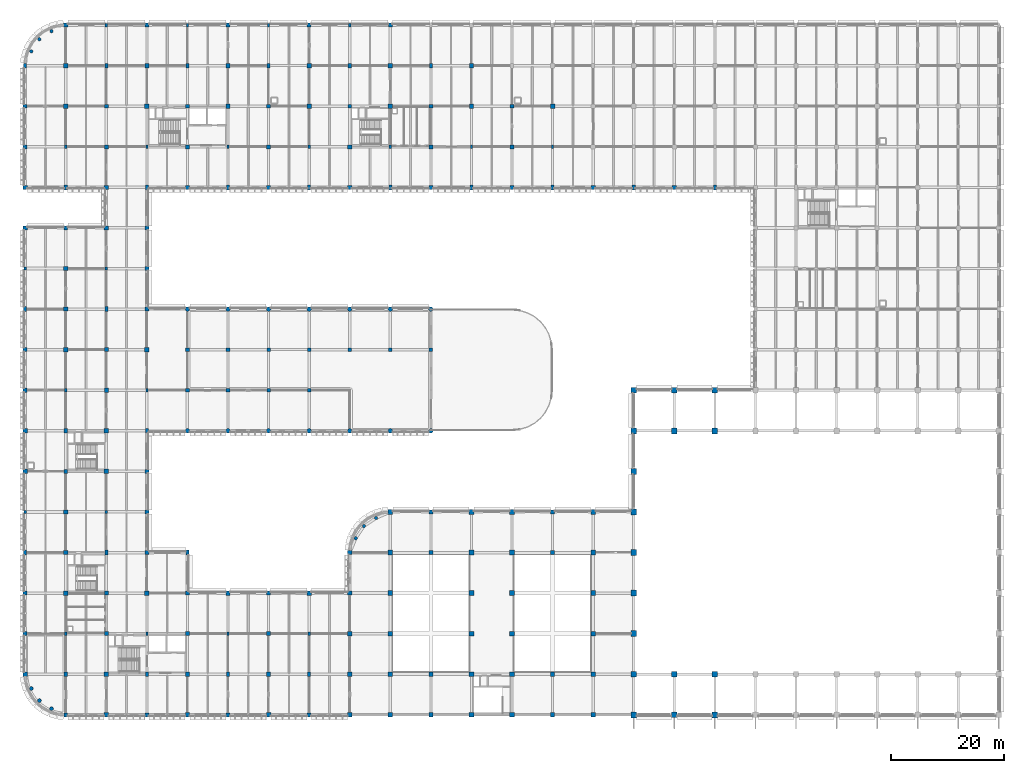
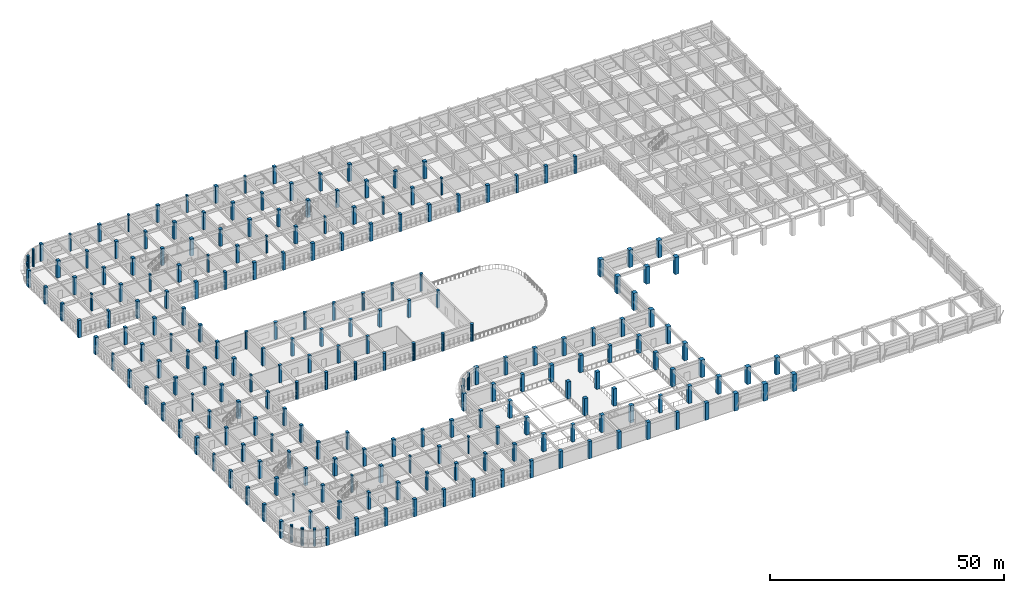
# One storey, part 1 of 61: 223 columns.
"""IFC4 building model written with IfcOpenShell, lengths in metres."""

from ifc_helpers import new_model, si_unit, direction, frame, origin, origin_2d, place, context, subcontext, project, spatial, rectangle, circle, extrude, material, material_profile, profile_set, type_object, element, save


model = new_model("IFC4")

# Units and contexts
model_context = context("Model", 3, precision=1e-05, world=origin(), true_north=direction((0.0, 1.0)))
body_context = subcontext(model_context, "Body", "Model", "MODEL_VIEW")
ifc_project = project(units=[si_unit("LENGTHUNIT", "METRE"), si_unit("AREAUNIT", "SQUARE_METRE"), si_unit("VOLUMEUNIT", "CUBIC_METRE"), si_unit("PLANEANGLEUNIT", "RADIAN"), si_unit("MASSUNIT", "GRAM", prefix="KILO")], contexts=[model_context])

# Site, building, storey
site_placement = place(None, origin())
site = spatial("IfcSite", under=ifc_project, at=site_placement, CompositionType="ELEMENT")
building_placement = place(site_placement, origin())
building = spatial("IfcBuilding", under=site, at=building_placement, Name="Thalmaran Polytechnic", CompositionType="ELEMENT")
storey_placement = place(building_placement, frame((0.0, 0.0, 9.89990234375)))
storey = spatial("IfcBuildingStorey", under=building, at=storey_placement, Name="L02", CompositionType="ELEMENT", Elevation=9.89990234375)

# Columns
ifc_material_1 = material(Name="Concrete C50/60", Category="concrete")
ifc_material_profile_1 = material_profile(ifc_material_1, rectangle(XDim=0.85009765625, YDim=0.85009765625, at=origin_2d()), Name="RC 850x850")
ifc_profile_set_1 = profile_set([ifc_material_profile_1], Name="Concrete C50/60")
column_type_1 = type_object("IfcColumnType", Name="COL-C02", PredefinedType="COLUMN", material=ifc_profile_set_1)
for number, where, z_axis, x_axis, name in (
    (1, (64.800048828125, 0.0, 0.0), (0.0, 0.0, 1.0), (1.0, 0.0, 0.0), "Column C02 L02 (9,0)"),
    (2, (64.800048828125, 7.199951171875, 0.0), (0.0, 0.0, 1.0), (1.0, 0.0, 0.0), "Column C02 L02 (9,1)"),
    (3, (64.800048828125, 14.39990234375, 0.0), (0.0, 0.0, 1.0), (1.0, 0.0, 0.0), "Column C02 L02 (9,2)"),
    (4, (64.800048828125, 21.60009765625, 0.0), (0.0, 0.0, 1.0), (1.0, 0.0, 0.0), "Column C02 L02 (9,3)"),
    (5, (64.800048828125, 28.800048828125, 0.0), (0.0, 0.0, 1.0), (1.0, 0.0, 0.0), "Column C02 L02 (9,4)"),
    (6, (64.800048828125, 36.0, 0.0), (0.0, 0.0, 1.0), (1.0, 0.0, 0.0), "Column C02 L02 (9,5)"),
    (7, (79.199951171875, 0.0, 0.0), (0.0, 0.0, 1.0), (1.0, 0.0, 0.0), "Column C02 L02 (11,0)"),
    (8, (79.199951171875, 7.199951171875, 0.0), (0.0, 0.0, 1.0), (1.0, 0.0, 0.0), "Column C02 L02 (11,1)"),
    (9, (79.199951171875, 14.39990234375, 0.0), (0.0, 0.0, 1.0), (1.0, 0.0, 0.0), "Column C02 L02 (11,2)"),
    (10, (79.199951171875, 21.60009765625, 0.0), (0.0, 0.0, 1.0), (1.0, 0.0, 0.0), "Column C02 L02 (11,3)"),
    (11, (79.199951171875, 28.800048828125, 0.0), (0.0, 0.0, 1.0), (1.0, 0.0, 0.0), "Column C02 L02 (11,4)"),
    (12, (79.199951171875, 36.0, 0.0), (0.0, 0.0, 1.0), (1.0, 0.0, 0.0), "Column C02 L02 (11,5)"),
    (13, (86.39990234375, 0.0, 0.0), (0.0, 0.0, 1.0), (1.0, 0.0, 0.0), "Column C02 L02 (12,0)"),
    (14, (86.39990234375, 7.199951171875, 0.0), (0.0, 0.0, 1.0), (1.0, 0.0, 0.0), "Column C02 L02 (12,1)"),
    (15, (86.39990234375, 14.39990234375, 0.0), (0.0, 0.0, 1.0), (1.0, 0.0, 0.0), "Column C02 L02 (12,2)"),
    (16, (86.39990234375, 21.60009765625, 0.0), (0.0, 0.0, 1.0), (1.0, 0.0, 0.0), "Column C02 L02 (12,3)"),
    (17, (86.39990234375, 28.800048828125, 0.0), (0.0, 0.0, 1.0), (1.0, 0.0, 0.0), "Column C02 L02 (12,4)"),
    (18, (86.39990234375, 36.0, 0.0), (0.0, 0.0, 1.0), (1.0, 0.0, 0.0), "Column C02 L02 (12,5)"),
    (19, (100.800048828125, 0.0, 0.0), (0.0, 0.0, 1.0), (1.0, 0.0, 0.0), "Column C02 L02 (14,0)"),
    (20, (100.800048828125, 7.199951171875, 0.0), (0.0, 0.0, 1.0), (1.0, 0.0, 0.0), "Column C02 L02 (14,1)"),
    (21, (100.800048828125, 14.39990234375, 0.0), (0.0, 0.0, 1.0), (1.0, 0.0, 0.0), "Column C02 L02 (14,2)"),
    (22, (100.800048828125, 21.60009765625, 0.0), (0.0, 0.0, 1.0), (1.0, 0.0, 0.0), "Column C02 L02 (14,3)"),
    (23, (100.800048828125, 28.800048828125, 0.0), (0.0, 0.0, 1.0), (1.0, 0.0, 0.0), "Column C02 L02 (14,4)"),
    (24, (100.800048828125, 36.0, 0.0), (0.0, 0.0, 1.0), (1.0, 0.0, 0.0), "Column C02 L02 (14,5)"),
):
    element("IfcColumn", number, at=place(storey_placement, frame(where, z_axis=z_axis, x_axis=x_axis)), inside=storey, type_object=column_type_1, Name=name, PredefinedType="COLUMN", context=body_context, shape_type="SweptSolid", body=[
        extrude(rectangle(XDim=0.85009765625, YDim=0.85009765625, at=origin_2d()), origin(), (0.0, 0.0, 1.0), 4.5),
    ])
ifc_material_profile_2 = material_profile(ifc_material_1, rectangle(XDim=0.75, YDim=0.75, at=origin_2d()), Name="RC 750x750")
ifc_profile_set_2 = profile_set([ifc_material_profile_2], Name="Concrete C50/60")
column_type_2 = type_object("IfcColumnType", Name="COL-C04", PredefinedType="COLUMN", material=ifc_profile_set_2)
for number, where, z_axis, x_axis, name in (
    (25, (0.0, 7.199951171875, 0.0), (0.0, 0.0, 1.0), (1.0, 0.0, 0.0), "Column C04 L02 (0,1)"),
    (26, (0.0, 50.39990234375, 0.0), (0.0, 0.0, 1.0), (1.0, 0.0, 0.0), "Column C04 L02 (0,7)"),
    (27, (0.0, 93.60009765625, 0.0), (0.0, 0.0, 1.0), (1.0, 0.0, 0.0), "Column C04 L02 (0,13)"),
    (28, (7.199951171875, 28.800048828125, 0.0), (0.0, 0.0, 1.0), (1.0, 0.0, 0.0), "Column C04 L02 (1,4)"),
    (29, (7.199951171875, 72.0, 0.0), (0.0, 0.0, 1.0), (1.0, 0.0, 0.0), "Column C04 L02 (1,10)"),
    (30, (7.199951171875, 115.199951171875, 0.0), (0.0, 0.0, 1.0), (1.0, 0.0, 0.0), "Column C04 L02 (1,16)"),
    (31, (14.39990234375, 7.199951171875, 0.0), (0.0, 0.0, 1.0), (1.0, 0.0, 0.0), "Column C04 L02 (2,1)"),
    (32, (14.39990234375, 50.39990234375, 0.0), (0.0, 0.0, 1.0), (1.0, 0.0, 0.0), "Column C04 L02 (2,7)"),
    (33, (14.39990234375, 93.60009765625, 0.0), (0.0, 0.0, 1.0), (1.0, 0.0, 0.0), "Column C04 L02 (2,13)"),
    (34, (21.60009765625, 28.800048828125, 0.0), (0.0, 0.0, 1.0), (1.0, 0.0, 0.0), "Column C04 L02 (3,4)"),
    (35, (21.60009765625, 72.0, 0.0), (0.0, 0.0, 1.0), (1.0, 0.0, 0.0), "Column C04 L02 (3,10)"),
    (36, (21.60009765625, 115.199951171875, 0.0), (0.0, 0.0, 1.0), (1.0, 0.0, 0.0), "Column C04 L02 (3,16)"),
    (37, (28.800048828125, 7.199951171875, 0.0), (0.0, 0.0, 1.0), (1.0, 0.0, 0.0), "Column C04 L02 (4,1)"),
    (38, (28.800048828125, 93.60009765625, 0.0), (0.0, 0.0, 1.0), (1.0, 0.0, 0.0), "Column C04 L02 (4,13)"),
    (39, (36.0, 115.199951171875, 0.0), (0.0, 0.0, 1.0), (1.0, 0.0, 0.0), "Column C04 L02 (5,16)"),
    (40, (43.199951171875, 7.199951171875, 0.0), (0.0, 0.0, 1.0), (1.0, 0.0, 0.0), "Column C04 L02 (6,1)"),
    (41, (43.199951171875, 93.60009765625, 0.0), (0.0, 0.0, 1.0), (1.0, 0.0, 0.0), "Column C04 L02 (6,13)"),
    (42, (50.39990234375, 115.199951171875, 0.0), (0.0, 0.0, 1.0), (1.0, 0.0, 0.0), "Column C04 L02 (7,16)"),
    (43, (57.60009765625, 0.0, 0.0), (0.0, 0.0, 1.0), (1.0, 0.0, 0.0), "Column C04 L02 (8,0)"),
    (44, (57.60009765625, 7.199951171875, 0.0), (0.0, 0.0, 1.0), (1.0, 0.0, 0.0), "Column C04 L02 (8,1)"),
    (45, (57.60009765625, 14.39990234375, 0.0), (0.0, 0.0, 1.0), (1.0, 0.0, 0.0), "Column C04 L02 (8,2)"),
    (46, (57.60009765625, 21.60009765625, 0.0), (0.0, 0.0, 1.0), (1.0, 0.0, 0.0), "Column C04 L02 (8,3)"),
    (47, (57.60009765625, 28.800048828125, 0.0), (0.0, 0.0, 1.0), (1.0, 0.0, 0.0), "Column C04 L02 (8,4)"),
    (48, (57.60009765625, 93.60009765625, 0.0), (0.0, 0.0, 1.0), (1.0, 0.0, 0.0), "Column C04 L02 (8,13)"),
    (49, (64.800048828125, 115.199951171875, 0.0), (0.0, 0.0, 1.0), (1.0, 0.0, 0.0), "Column C04 L02 (9,16)"),
    (50, (72.0, 0.0, 0.0), (0.0, 0.0, 1.0), (1.0, 0.0, 0.0), "Column C04 L02 (10,0)"),
    (51, (72.0, 7.199951171875, 0.0), (0.0, 0.0, 1.0), (1.0, 0.0, 0.0), "Column C04 L02 (10,1)"),
    (52, (72.0, 28.800048828125, 0.0), (0.0, 0.0, 1.0), (1.0, 0.0, 0.0), "Column C04 L02 (10,4)"),
    (53, (72.0, 36.0, 0.0), (0.0, 0.0, 1.0), (1.0, 0.0, 0.0), "Column C04 L02 (10,5)"),
    (54, (72.0, 93.60009765625, 0.0), (0.0, 0.0, 1.0), (1.0, 0.0, 0.0), "Column C04 L02 (10,13)"),
    (55, (79.199951171875, 115.199951171875, 0.0), (0.0, 0.0, 1.0), (1.0, 0.0, 0.0), "Column C04 L02 (11,16)"),
    (56, (86.39990234375, 93.60009765625, 0.0), (0.0, 0.0, 1.0), (1.0, 0.0, 0.0), "Column C04 L02 (12,13)"),
    (57, (93.60009765625, 0.0, 0.0), (0.0, 0.0, 1.0), (1.0, 0.0, 0.0), "Column C04 L02 (13,0)"),
    (58, (93.60009765625, 7.199951171875, 0.0), (0.0, 0.0, 1.0), (1.0, 0.0, 0.0), "Column C04 L02 (13,1)"),
    (59, (93.60009765625, 28.800048828125, 0.0), (0.0, 0.0, 1.0), (1.0, 0.0, 0.0), "Column C04 L02 (13,4)"),
    (60, (93.60009765625, 36.0, 0.0), (0.0, 0.0, 1.0), (1.0, 0.0, 0.0), "Column C04 L02 (13,5)"),
    (61, (100.800048828125, 93.60009765625, 0.0), (0.0, 0.0, 1.0), (1.0, 0.0, 0.0), "Column C04 L02 (14,13)"),
    (62, (115.199951171875, 93.60009765625, 0.0), (0.0, 0.0, 1.0), (1.0, 0.0, 0.0), "Column C04 L02 (16,13)"),
):
    element("IfcColumn", number, at=place(storey_placement, frame(where, z_axis=z_axis, x_axis=x_axis)), inside=storey, type_object=column_type_2, Name=name, PredefinedType="COLUMN", context=body_context, shape_type="SweptSolid", body=[
        extrude(rectangle(XDim=0.75, YDim=0.75, at=origin_2d()), origin(), (0.0, 0.0, 1.0), 4.5),
    ])
ifc_material_profile_3 = material_profile(ifc_material_1, rectangle(XDim=0.699951171875, YDim=0.699951171875, at=origin_2d()), Name="RC 700x700")
ifc_profile_set_3 = profile_set([ifc_material_profile_3], Name="Concrete C50/60")
column_type_3 = type_object("IfcColumnType", Name="COL-C05", PredefinedType="COLUMN", material=ifc_profile_set_3)
for number, where, z_axis, x_axis, name in (
    (63, (0.0, 21.60009765625, 0.0), (0.0, 0.0, 1.0), (1.0, 0.0, 0.0), "Column C05 L02 (0,3)"),
    (64, (0.0, 64.800048828125, 0.0), (0.0, 0.0, 1.0), (1.0, 0.0, 0.0), "Column C05 L02 (0,9)"),
    (65, (0.0, 108.0, 0.0), (0.0, 0.0, 1.0), (1.0, 0.0, 0.0), "Column C05 L02 (0,15)"),
    (66, (7.199951171875, 0.0, 0.0), (0.0, 0.0, 1.0), (1.0, 0.0, 0.0), "Column C05 L02 (1,0)"),
    (67, (7.199951171875, 43.199951171875, 0.0), (0.0, 0.0, 1.0), (1.0, 0.0, 0.0), "Column C05 L02 (1,6)"),
    (68, (7.199951171875, 86.39990234375, 0.0), (0.0, 0.0, 1.0), (1.0, 0.0, 0.0), "Column C05 L02 (1,12)"),
    (69, (14.39990234375, 21.60009765625, 0.0), (0.0, 0.0, 1.0), (1.0, 0.0, 0.0), "Column C05 L02 (2,3)"),
    (70, (14.39990234375, 64.800048828125, 0.0), (0.0, 0.0, 1.0), (1.0, 0.0, 0.0), "Column C05 L02 (2,9)"),
    (71, (14.39990234375, 108.0, 0.0), (0.0, 0.0, 1.0), (1.0, 0.0, 0.0), "Column C05 L02 (2,15)"),
    (72, (21.60009765625, 0.0, 0.0), (0.0, 0.0, 1.0), (1.0, 0.0, 0.0), "Column C05 L02 (3,0)"),
    (73, (21.60009765625, 43.199951171875, 0.0), (0.0, 0.0, 1.0), (1.0, 0.0, 0.0), "Column C05 L02 (3,6)"),
    (74, (21.60009765625, 86.39990234375, 0.0), (0.0, 0.0, 1.0), (1.0, 0.0, 0.0), "Column C05 L02 (3,12)"),
    (75, (28.800048828125, 21.60009765625, 0.0), (0.0, 0.0, 1.0), (1.0, 0.0, 0.0), "Column C05 L02 (4,3)"),
    (76, (28.800048828125, 108.0, 0.0), (0.0, 0.0, 1.0), (1.0, 0.0, 0.0), "Column C05 L02 (4,15)"),
    (77, (36.0, 0.0, 0.0), (0.0, 0.0, 1.0), (1.0, 0.0, 0.0), "Column C05 L02 (5,0)"),
    (78, (43.199951171875, 21.60009765625, 0.0), (0.0, 0.0, 1.0), (1.0, 0.0, 0.0), "Column C05 L02 (6,3)"),
    (79, (43.199951171875, 108.0, 0.0), (0.0, 0.0, 1.0), (1.0, 0.0, 0.0), "Column C05 L02 (6,15)"),
    (80, (50.39990234375, 0.0, 0.0), (0.0, 0.0, 1.0), (1.0, 0.0, 0.0), "Column C05 L02 (7,0)"),
    (81, (57.60009765625, 108.0, 0.0), (0.0, 0.0, 1.0), (1.0, 0.0, 0.0), "Column C05 L02 (8,15)"),
    (82, (72.0, 108.0, 0.0), (0.0, 0.0, 1.0), (1.0, 0.0, 0.0), "Column C05 L02 (10,15)"),
    (83, (86.39990234375, 108.0, 0.0), (0.0, 0.0, 1.0), (1.0, 0.0, 0.0), "Column C05 L02 (12,15)"),
):
    element("IfcColumn", number, at=place(storey_placement, frame(where, z_axis=z_axis, x_axis=x_axis)), inside=storey, type_object=column_type_3, Name=name, PredefinedType="COLUMN", context=body_context, shape_type="SweptSolid", body=[
        extrude(rectangle(XDim=0.699951171875, YDim=0.699951171875, at=origin_2d()), origin(), (0.0, 0.0, 1.0), 4.5),
    ])
ifc_material_2 = material(Name="Concrete C40/50", Category="concrete")
ifc_material_profile_4 = material_profile(ifc_material_2, rectangle(XDim=0.64990234375, YDim=0.64990234375, at=origin_2d()), Name="RC 650x650")
ifc_profile_set_4 = profile_set([ifc_material_profile_4], Name="Concrete C40/50")
column_type_4 = type_object("IfcColumnType", Name="COL-C06", PredefinedType="COLUMN", material=ifc_profile_set_4)
for number, where, z_axis, x_axis, name in (
    (84, (28.800048828125, 57.60009765625, 0.0), (0.0, 0.0, 1.0), (1.0, 0.0, 0.0), "Column C06 L02 (4,8)"),
    (85, (28.800048828125, 64.800048828125, 0.0), (0.0, 0.0, 1.0), (1.0, 0.0, 0.0), "Column C06 L02 (4,9)"),
    (86, (36.0, 57.60009765625, 0.0), (0.0, 0.0, 1.0), (1.0, 0.0, 0.0), "Column C06 L02 (5,8)"),
    (87, (36.0, 64.800048828125, 0.0), (0.0, 0.0, 1.0), (1.0, 0.0, 0.0), "Column C06 L02 (5,9)"),
    (88, (43.199951171875, 57.60009765625, 0.0), (0.0, 0.0, 1.0), (1.0, 0.0, 0.0), "Column C06 L02 (6,8)"),
    (89, (43.199951171875, 64.800048828125, 0.0), (0.0, 0.0, 1.0), (1.0, 0.0, 0.0), "Column C06 L02 (6,9)"),
    (90, (50.39990234375, 57.60009765625, 0.0), (0.0, 0.0, 1.0), (1.0, 0.0, 0.0), "Column C06 L02 (7,8)"),
    (91, (50.39990234375, 64.800048828125, 0.0), (0.0, 0.0, 1.0), (1.0, 0.0, 0.0), "Column C06 L02 (7,9)"),
    (92, (57.60009765625, 64.800048828125, 0.0), (0.0, 0.0, 1.0), (1.0, 0.0, 0.0), "Column C06 L02 (8,9)"),
    (93, (64.800048828125, 64.800048828125, 0.0), (0.0, 0.0, 1.0), (1.0, 0.0, 0.0), "Column C06 L02 (9,9)"),
    (94, (72.0, 64.800048828125, 0.0), (0.0, 0.0, 1.0), (1.0, 0.0, 0.0), "Column C06 L02 (10,9)"),
):
    element("IfcColumn", number, at=place(storey_placement, frame(where, z_axis=z_axis, x_axis=x_axis)), inside=storey, type_object=column_type_4, Name=name, PredefinedType="COLUMN", context=body_context, shape_type="SweptSolid", body=[
        extrude(rectangle(XDim=0.64990234375, YDim=0.64990234375, at=origin_2d()), origin(), (0.0, 0.0, 1.0), 4.5),
    ])
ifc_material_profile_5 = material_profile(ifc_material_1, rectangle(XDim=0.550048828125, YDim=0.85009765625, at=origin_2d()), Name="RC 550x850")
ifc_profile_set_5 = profile_set([ifc_material_profile_5], Name="Concrete C50/60")
column_type_5 = type_object("IfcColumnType", Name="COL-C12", PredefinedType="COLUMN", material=ifc_profile_set_5)
for number, where, z_axis, x_axis, name in (
    (95, (0.0, 28.800048828125, 0.0), (0.0, 0.0, 1.0), (1.0, 0.0, 0.0), "Column C12 L02 (0,4)"),
    (96, (0.0, 72.0, 0.0), (0.0, 0.0, 1.0), (1.0, 0.0, 0.0), "Column C12 L02 (0,10)"),
    (97, (0.0, 115.199951171875, 0.0), (0.0, 0.0, 1.0), (1.0, 0.0, 0.0), "Column C12 L02 (0,16)"),
    (98, (7.199951171875, 7.199951171875, 0.0), (0.0, 0.0, 1.0), (1.0, 0.0, 0.0), "Column C12 L02 (1,1)"),
    (99, (7.199951171875, 50.39990234375, 0.0), (0.0, 0.0, 1.0), (1.0, 0.0, 0.0), "Column C12 L02 (1,7)"),
    (100, (7.199951171875, 93.60009765625, 0.0), (0.0, 0.0, 1.0), (1.0, 0.0, 0.0), "Column C12 L02 (1,13)"),
    (101, (14.39990234375, 28.800048828125, 0.0), (0.0, 0.0, 1.0), (1.0, 0.0, 0.0), "Column C12 L02 (2,4)"),
    (102, (14.39990234375, 72.0, 0.0), (0.0, 0.0, 1.0), (1.0, 0.0, 0.0), "Column C12 L02 (2,10)"),
    (103, (14.39990234375, 115.199951171875, 0.0), (0.0, 0.0, 1.0), (1.0, 0.0, 0.0), "Column C12 L02 (2,16)"),
    (104, (21.60009765625, 7.199951171875, 0.0), (0.0, 0.0, 1.0), (1.0, 0.0, 0.0), "Column C12 L02 (3,1)"),
    (105, (21.60009765625, 50.39990234375, 0.0), (0.0, 0.0, 1.0), (1.0, 0.0, 0.0), "Column C12 L02 (3,7)"),
    (106, (21.60009765625, 93.60009765625, 0.0), (0.0, 0.0, 1.0), (1.0, 0.0, 0.0), "Column C12 L02 (3,13)"),
    (107, (28.800048828125, 28.800048828125, 0.0), (0.0, 0.0, 1.0), (1.0, 0.0, 0.0), "Column C12 L02 (4,4)"),
    (108, (28.800048828125, 115.199951171875, 0.0), (0.0, 0.0, 1.0), (1.0, 0.0, 0.0), "Column C12 L02 (4,16)"),
    (109, (36.0, 7.199951171875, 0.0), (0.0, 0.0, 1.0), (1.0, 0.0, 0.0), "Column C12 L02 (5,1)"),
    (110, (36.0, 93.60009765625, 0.0), (0.0, 0.0, 1.0), (1.0, 0.0, 0.0), "Column C12 L02 (5,13)"),
    (111, (43.199951171875, 115.199951171875, 0.0), (0.0, 0.0, 1.0), (1.0, 0.0, 0.0), "Column C12 L02 (6,16)"),
    (112, (50.39990234375, 7.199951171875, 0.0), (0.0, 0.0, 1.0), (1.0, 0.0, 0.0), "Column C12 L02 (7,1)"),
    (113, (50.39990234375, 93.60009765625, 0.0), (0.0, 0.0, 1.0), (1.0, 0.0, 0.0), "Column C12 L02 (7,13)"),
    (114, (57.60009765625, 115.199951171875, 0.0), (0.0, 0.0, 1.0), (1.0, 0.0, 0.0), "Column C12 L02 (8,16)"),
    (115, (64.800048828125, 93.60009765625, 0.0), (0.0, 0.0, 1.0), (1.0, 0.0, 0.0), "Column C12 L02 (9,13)"),
    (116, (72.0, 115.199951171875, 0.0), (0.0, 0.0, 1.0), (1.0, 0.0, 0.0), "Column C12 L02 (10,16)"),
    (117, (79.199951171875, 93.60009765625, 0.0), (0.0, 0.0, 1.0), (1.0, 0.0, 0.0), "Column C12 L02 (11,13)"),
    (118, (93.60009765625, 93.60009765625, 0.0), (0.0, 0.0, 1.0), (1.0, 0.0, 0.0), "Column C12 L02 (13,13)"),
    (119, (108.0, 93.60009765625, 0.0), (0.0, 0.0, 1.0), (1.0, 0.0, 0.0), "Column C12 L02 (15,13)"),
    (120, (122.39990234375, 93.60009765625, 0.0), (0.0, 0.0, 1.0), (1.0, 0.0, 0.0), "Column C12 L02 (17,13)"),
):
    element("IfcColumn", number, at=place(storey_placement, frame(where, z_axis=z_axis, x_axis=x_axis)), inside=storey, type_object=column_type_5, Name=name, PredefinedType="COLUMN", context=body_context, shape_type="SweptSolid", body=[
        extrude(rectangle(XDim=0.550048828125, YDim=0.85009765625, at=origin_2d()), origin(), (0.0, 0.0, 1.0), 4.5),
    ])
ifc_material_profile_6 = material_profile(ifc_material_1, circle(Radius=0.39990234375, at=origin_2d()), Name="RC 800 DIA")
ifc_profile_set_6 = profile_set([ifc_material_profile_6], Name="Concrete C50/60")
column_type_6 = type_object("IfcColumnType", Name="COL-C14", PredefinedType="COLUMN", material=ifc_profile_set_6)
for number, where, z_axis, x_axis, name in (
    (121, (28.800048828125, 50.39990234375, 0.0), (0.0, 0.0, 1.0), (1.0, 0.0, 0.0), "Column C14 L02 (4,7)"),
    (122, (28.800048828125, 72.0, 0.0), (0.0, 0.0, 1.0), (1.0, 0.0, 0.0), "Column C14 L02 (4,10)"),
    (123, (36.0, 50.39990234375, 0.0), (0.0, 0.0, 1.0), (1.0, 0.0, 0.0), "Column C14 L02 (5,7)"),
    (124, (36.0, 72.0, 0.0), (0.0, 0.0, 1.0), (1.0, 0.0, 0.0), "Column C14 L02 (5,10)"),
    (125, (43.199951171875, 50.39990234375, 0.0), (0.0, 0.0, 1.0), (1.0, 0.0, 0.0), "Column C14 L02 (6,7)"),
    (126, (43.199951171875, 72.0, 0.0), (0.0, 0.0, 1.0), (1.0, 0.0, 0.0), "Column C14 L02 (6,10)"),
    (127, (50.39990234375, 50.39990234375, 0.0), (0.0, 0.0, 1.0), (1.0, 0.0, 0.0), "Column C14 L02 (7,7)"),
    (128, (50.39990234375, 72.0, 0.0), (0.0, 0.0, 1.0), (1.0, 0.0, 0.0), "Column C14 L02 (7,10)"),
    (129, (57.60009765625, 50.39990234375, 0.0), (0.0, 0.0, 1.0), (1.0, 0.0, 0.0), "Column C14 L02 (8,7)"),
    (130, (57.60009765625, 72.0, 0.0), (0.0, 0.0, 1.0), (1.0, 0.0, 0.0), "Column C14 L02 (8,10)"),
    (131, (64.800048828125, 50.39990234375, 0.0), (0.0, 0.0, 1.0), (1.0, 0.0, 0.0), "Column C14 L02 (9,7)"),
    (132, (64.800048828125, 72.0, 0.0), (0.0, 0.0, 1.0), (1.0, 0.0, 0.0), "Column C14 L02 (9,10)"),
    (133, (72.0, 50.39990234375, 0.0), (0.0, 0.0, 1.0), (1.0, 0.0, 0.0), "Column C14 L02 (10,7)"),
    (134, (72.0, 72.0, 0.0), (0.0, 0.0, 1.0), (1.0, 0.0, 0.0), "Column C14 L02 (10,10)"),
):
    element("IfcColumn", number, at=place(storey_placement, frame(where, z_axis=z_axis, x_axis=x_axis)), inside=storey, type_object=column_type_6, Name=name, PredefinedType="COLUMN", context=body_context, shape_type="SweptSolid", body=[
        extrude(circle(Radius=0.39990234375, at=origin_2d()), origin(), (0.0, 0.0, 1.0), 4.5),
    ])
ifc_material_profile_7 = material_profile(ifc_material_2, circle(Radius=0.35009765625, at=origin_2d()), Name="RC 700 DIA")
ifc_profile_set_7 = profile_set([ifc_material_profile_7], Name="Concrete C40/50")
column_type_7 = type_object("IfcColumnType", Name="COL-C15", PredefinedType="COLUMN", material=ifc_profile_set_7)
for number, where, z_axis, x_axis, name in (
    (135, (1.083984375, 4.666748046875, 0.0), (0.0, 0.0, 1.0), (1.0, 0.0, 0.0), "Prow Column SWP1 L02"),
    (136, (2.51904296875, 2.51904296875, 0.0), (0.0, 0.0, 1.0), (1.0, 0.0, 0.0), "Prow Column SWP2 L02"),
    (137, (4.666748046875, 1.083984375, 0.0), (0.0, 0.0, 1.0), (1.0, 0.0, 0.0), "Prow Column SWP3 L02"),
):
    element("IfcColumn", number, at=place(storey_placement, frame(where, z_axis=z_axis, x_axis=x_axis)), inside=storey, type_object=column_type_7, Name=name, PredefinedType="COLUMN", context=body_context, shape_type="SweptSolid", body=[
        extrude(circle(Radius=0.35009765625, at=origin_2d()), origin(), (0.0, 0.0, 1.0), 4.5),
    ])
ifc_material_profile_8 = material_profile(ifc_material_2, circle(Radius=0.300048828125, at=origin_2d()), Name="RC 600 DIA")
ifc_profile_set_8 = profile_set([ifc_material_profile_8], Name="Concrete C40/50")
column_type_8 = type_object("IfcColumnType", Name="COL-C16", PredefinedType="COLUMN", material=ifc_profile_set_8)
for number, where, z_axis, x_axis, name in (
    (138, (4.666748046875, 121.316162109375, 0.0), (0.0, 0.0, 1.0), (1.0, 0.0, 0.0), "Prow Column NWP1 L02"),
    (139, (2.51904296875, 119.881103515625, 0.0), (0.0, 0.0, 1.0), (1.0, 0.0, 0.0), "Prow Column NWP2 L02"),
    (140, (1.083984375, 117.7333984375, 0.0), (0.0, 0.0, 1.0), (1.0, 0.0, 0.0), "Prow Column NWP3 L02"),
    (141, (62.2666015625, 34.916015625, 0.0), (0.0, 0.0, 1.0), (1.0, 0.0, 0.0), "Prow Column LTP1 L02"),
    (142, (60.118896484375, 33.48095703125, 0.0), (0.0, 0.0, 1.0), (1.0, 0.0, 0.0), "Prow Column LTP2 L02"),
    (143, (58.683837890625, 31.333251953125, 0.0), (0.0, 0.0, 1.0), (1.0, 0.0, 0.0), "Prow Column LTP3 L02"),
):
    element("IfcColumn", number, at=place(storey_placement, frame(where, z_axis=z_axis, x_axis=x_axis)), inside=storey, type_object=column_type_8, Name=name, PredefinedType="COLUMN", context=body_context, shape_type="SweptSolid", body=[
        extrude(circle(Radius=0.300048828125, at=origin_2d()), origin(), (0.0, 0.0, 1.0), 4.5),
    ])
ifc_material_profile_9 = material_profile(ifc_material_2, rectangle(XDim=0.39990234375, YDim=0.60009765625, at=origin_2d()), Name="RC 400x600")
ifc_profile_set_9 = profile_set([ifc_material_profile_9], Name="Concrete C40/50")
column_type_9 = type_object("IfcColumnType", Name="COL-PL2", PredefinedType="PILASTER", material=ifc_profile_set_9)
for number, where, z_axis, x_axis, name in (
    (144, (0.0, 36.0, 0.0), (0.0, 0.0, 1.0), (1.0, 0.0, 0.0), "Column PL2 L02 (0,5)"),
    (145, (0.0, 79.199951171875, 0.0), (0.0, 0.0, 1.0), (1.0, 0.0, 0.0), "Column PL2 L02 (0,11)"),
    (146, (7.199951171875, 14.39990234375, 0.0), (0.0, 0.0, 1.0), (1.0, 0.0, 0.0), "Column PL2 L02 (1,2)"),
    (147, (7.199951171875, 57.60009765625, 0.0), (0.0, 0.0, 1.0), (1.0, 0.0, 0.0), "Column PL2 L02 (1,8)"),
    (148, (7.199951171875, 100.800048828125, 0.0), (0.0, 0.0, 1.0), (1.0, 0.0, 0.0), "Column PL2 L02 (1,14)"),
    (149, (14.39990234375, 36.0, 0.0), (0.0, 0.0, 1.0), (1.0, 0.0, 0.0), "Column PL2 L02 (2,5)"),
    (150, (14.39990234375, 79.199951171875, 0.0), (0.0, 0.0, 1.0), (1.0, 0.0, 0.0), "Column PL2 L02 (2,11)"),
    (151, (14.39990234375, 122.39990234375, 0.0), (0.0, 0.0, 1.0), (1.0, 0.0, 0.0), "Column PL2 L02 (2,17)"),
    (152, (21.60009765625, 14.39990234375, 0.0), (0.0, 0.0, 1.0), (1.0, 0.0, 0.0), "Column PL2 L02 (3,2)"),
    (153, (21.60009765625, 57.60009765625, 0.0), (0.0, 0.0, 1.0), (1.0, 0.0, 0.0), "Column PL2 L02 (3,8)"),
    (154, (21.60009765625, 100.800048828125, 0.0), (0.0, 0.0, 1.0), (1.0, 0.0, 0.0), "Column PL2 L02 (3,14)"),
    (155, (28.800048828125, 122.39990234375, 0.0), (0.0, 0.0, 1.0), (1.0, 0.0, 0.0), "Column PL2 L02 (4,17)"),
    (156, (36.0, 14.39990234375, 0.0), (0.0, 0.0, 1.0), (1.0, 0.0, 0.0), "Column PL2 L02 (5,2)"),
    (157, (36.0, 100.800048828125, 0.0), (0.0, 0.0, 1.0), (1.0, 0.0, 0.0), "Column PL2 L02 (5,14)"),
    (158, (43.199951171875, 122.39990234375, 0.0), (0.0, 0.0, 1.0), (1.0, 0.0, 0.0), "Column PL2 L02 (6,17)"),
    (159, (50.39990234375, 14.39990234375, 0.0), (0.0, 0.0, 1.0), (1.0, 0.0, 0.0), "Column PL2 L02 (7,2)"),
    (160, (50.39990234375, 100.800048828125, 0.0), (0.0, 0.0, 1.0), (1.0, 0.0, 0.0), "Column PL2 L02 (7,14)"),
    (161, (57.60009765625, 122.39990234375, 0.0), (0.0, 0.0, 1.0), (1.0, 0.0, 0.0), "Column PL2 L02 (8,17)"),
    (162, (64.800048828125, 100.800048828125, 0.0), (0.0, 0.0, 1.0), (1.0, 0.0, 0.0), "Column PL2 L02 (9,14)"),
    (163, (79.199951171875, 100.800048828125, 0.0), (0.0, 0.0, 1.0), (1.0, 0.0, 0.0), "Column PL2 L02 (11,14)"),
    (164, (93.60009765625, 100.800048828125, 0.0), (0.0, 0.0, 1.0), (1.0, 0.0, 0.0), "Column PL2 L02 (13,14)"),
):
    element("IfcColumn", number, at=place(storey_placement, frame(where, z_axis=z_axis, x_axis=x_axis)), inside=storey, type_object=column_type_9, Name=name, PredefinedType="PILASTER", context=body_context, shape_type="SweptSolid", body=[
        extrude(rectangle(XDim=0.39990234375, YDim=0.60009765625, at=origin_2d()), origin(), (0.0, 0.0, 1.0), 4.5),
    ])
ifc_material_profile_10 = material_profile(ifc_material_1, rectangle(XDim=1.0, YDim=1.0, at=origin_2d()), Name="RC 1000x1000")
ifc_profile_set_10 = profile_set([ifc_material_profile_10], Name="Concrete C50/60")
column_type_10 = type_object("IfcColumnType", Name="COL-WP1", PredefinedType="COLUMN", material=ifc_profile_set_10)
column_placement = place(storey_placement, frame((115.199951171875, 0.0, 0.0), z_axis=(0.0, 0.0, 1.0), x_axis=(1.0, 0.0, 0.0)))
element("IfcColumn", 165, at=column_placement, inside=storey, type_object=column_type_10, Name="Column WP1 L02 (16,0)", PredefinedType="COLUMN", context=body_context, shape_type="SweptSolid", body=[
    extrude(rectangle(XDim=1.0, YDim=1.0, at=origin_2d()), origin(), (0.0, 0.0, 1.0), 4.5),
])
ifc_material_profile_11 = material_profile(ifc_material_1, rectangle(XDim=0.949951171875, YDim=1.050048828125, at=origin_2d()), Name="RC 950x1050")
ifc_profile_set_11 = profile_set([ifc_material_profile_11], Name="Concrete C50/60")
column_type_11 = type_object("IfcColumnType", Name="COL-WP2", PredefinedType="COLUMN", material=ifc_profile_set_11)
for number, where, z_axis, x_axis, name in (
    (166, (108.0, 0.0, 0.0), (0.0, 0.0, 1.0), (1.0, 0.0, 0.0), "Column WP2 L02 (15,0)"),
    (167, (108.0, 7.199951171875, 0.0), (0.0, 0.0, 1.0), (1.0, 0.0, 0.0), "Column WP2 L02 (15,1)"),
    (168, (108.0, 14.39990234375, 0.0), (0.0, 0.0, 1.0), (1.0, 0.0, 0.0), "Column WP2 L02 (15,2)"),
    (169, (108.0, 21.60009765625, 0.0), (0.0, 0.0, 1.0), (1.0, 0.0, 0.0), "Column WP2 L02 (15,3)"),
    (170, (108.0, 28.800048828125, 0.0), (0.0, 0.0, 1.0), (1.0, 0.0, 0.0), "Column WP2 L02 (15,4)"),
    (171, (108.0, 36.0, 0.0), (0.0, 0.0, 1.0), (1.0, 0.0, 0.0), "Column WP2 L02 (15,5)"),
    (172, (108.0, 43.199951171875, 0.0), (0.0, 0.0, 1.0), (1.0, 0.0, 0.0), "Column WP2 L02 (15,6)"),
    (173, (108.0, 50.39990234375, 0.0), (0.0, 0.0, 1.0), (1.0, 0.0, 0.0), "Column WP2 L02 (15,7)"),
    (174, (108.0, 57.60009765625, 0.0), (0.0, 0.0, 1.0), (1.0, 0.0, 0.0), "Column WP2 L02 (15,8)"),
    (175, (115.199951171875, 7.199951171875, 0.0), (0.0, 0.0, 1.0), (1.0, 0.0, 0.0), "Column WP2 L02 (16,1)"),
    (176, (115.199951171875, 50.39990234375, 0.0), (0.0, 0.0, 1.0), (1.0, 0.0, 0.0), "Column WP2 L02 (16,7)"),
    (177, (115.199951171875, 57.60009765625, 0.0), (0.0, 0.0, 1.0), (1.0, 0.0, 0.0), "Column WP2 L02 (16,8)"),
    (178, (122.39990234375, 0.0, 0.0), (0.0, 0.0, 1.0), (1.0, 0.0, 0.0), "Column WP2 L02 (17,0)"),
    (179, (122.39990234375, 7.199951171875, 0.0), (0.0, 0.0, 1.0), (1.0, 0.0, 0.0), "Column WP2 L02 (17,1)"),
    (180, (122.39990234375, 50.39990234375, 0.0), (0.0, 0.0, 1.0), (1.0, 0.0, 0.0), "Column WP2 L02 (17,7)"),
    (181, (122.39990234375, 57.60009765625, 0.0), (0.0, 0.0, 1.0), (1.0, 0.0, 0.0), "Column WP2 L02 (17,8)"),
):
    element("IfcColumn", number, at=place(storey_placement, frame(where, z_axis=z_axis, x_axis=x_axis)), inside=storey, type_object=column_type_11, Name=name, PredefinedType="COLUMN", context=body_context, shape_type="SweptSolid", body=[
        extrude(rectangle(XDim=0.949951171875, YDim=1.050048828125, at=origin_2d()), origin(), (0.0, 0.0, 1.0), 4.5),
    ])
ifc_material_profile_12 = material_profile(ifc_material_1, rectangle(XDim=0.780029296875, YDim=0.780029296875, at=origin_2d()), Name="RC 780x780")
ifc_profile_set_12 = profile_set([ifc_material_profile_12], Name="Concrete C50/60")
column_type_12 = type_object("IfcColumnType", Name="COL-ZC03", PredefinedType="COLUMN", material=ifc_profile_set_12)
for number, where, z_axis, x_axis, name in (
    (182, (0.0, 43.199951171875, 0.0), (0.0, 0.0, 1.0), (1.0, 0.0, 0.0), "Column ZC03 L02 (0,6)"),
    (183, (0.0, 86.39990234375, 0.0), (0.0, 0.0, 1.0), (1.0, 0.0, 0.0), "Column ZC03 L02 (0,12)"),
    (184, (7.199951171875, 21.60009765625, 0.0), (0.0, 0.0, 1.0), (1.0, 0.0, 0.0), "Column ZC03 L02 (1,3)"),
    (185, (7.199951171875, 64.800048828125, 0.0), (0.0, 0.0, 1.0), (1.0, 0.0, 0.0), "Column ZC03 L02 (1,9)"),
    (186, (7.199951171875, 108.0, 0.0), (0.0, 0.0, 1.0), (1.0, 0.0, 0.0), "Column ZC03 L02 (1,15)"),
    (187, (14.39990234375, 0.0, 0.0), (0.0, 0.0, 1.0), (1.0, 0.0, 0.0), "Column ZC03 L02 (2,0)"),
    (188, (14.39990234375, 43.199951171875, 0.0), (0.0, 0.0, 1.0), (1.0, 0.0, 0.0), "Column ZC03 L02 (2,6)"),
    (189, (14.39990234375, 86.39990234375, 0.0), (0.0, 0.0, 1.0), (1.0, 0.0, 0.0), "Column ZC03 L02 (2,12)"),
    (190, (21.60009765625, 21.60009765625, 0.0), (0.0, 0.0, 1.0), (1.0, 0.0, 0.0), "Column ZC03 L02 (3,3)"),
    (191, (21.60009765625, 64.800048828125, 0.0), (0.0, 0.0, 1.0), (1.0, 0.0, 0.0), "Column ZC03 L02 (3,9)"),
    (192, (21.60009765625, 108.0, 0.0), (0.0, 0.0, 1.0), (1.0, 0.0, 0.0), "Column ZC03 L02 (3,15)"),
    (193, (28.800048828125, 0.0, 0.0), (0.0, 0.0, 1.0), (1.0, 0.0, 0.0), "Column ZC03 L02 (4,0)"),
    (194, (36.0, 21.60009765625, 0.0), (0.0, 0.0, 1.0), (1.0, 0.0, 0.0), "Column ZC03 L02 (5,3)"),
    (195, (36.0, 108.0, 0.0), (0.0, 0.0, 1.0), (1.0, 0.0, 0.0), "Column ZC03 L02 (5,15)"),
    (196, (43.199951171875, 0.0, 0.0), (0.0, 0.0, 1.0), (1.0, 0.0, 0.0), "Column ZC03 L02 (6,0)"),
    (197, (50.39990234375, 21.60009765625, 0.0), (0.0, 0.0, 1.0), (1.0, 0.0, 0.0), "Column ZC03 L02 (7,3)"),
    (198, (50.39990234375, 108.0, 0.0), (0.0, 0.0, 1.0), (1.0, 0.0, 0.0), "Column ZC03 L02 (7,15)"),
    (199, (64.800048828125, 108.0, 0.0), (0.0, 0.0, 1.0), (1.0, 0.0, 0.0), "Column ZC03 L02 (9,15)"),
    (200, (79.199951171875, 108.0, 0.0), (0.0, 0.0, 1.0), (1.0, 0.0, 0.0), "Column ZC03 L02 (11,15)"),
    (201, (93.60009765625, 108.0, 0.0), (0.0, 0.0, 1.0), (1.0, 0.0, 0.0), "Column ZC03 L02 (13,15)"),
):
    element("IfcColumn", number, at=place(storey_placement, frame(where, z_axis=z_axis, x_axis=x_axis)), inside=storey, type_object=column_type_12, Name=name, PredefinedType="COLUMN", context=body_context, shape_type="SweptSolid", body=[
        extrude(rectangle(XDim=0.780029296875, YDim=0.780029296875, at=origin_2d()), origin(), (0.0, 0.0, 1.0), 4.5),
    ])
ifc_material_profile_13 = material_profile(ifc_material_1, rectangle(XDim=0.719970703125, YDim=0.719970703125, at=origin_2d()), Name="RC 720x720")
ifc_profile_set_13 = profile_set([ifc_material_profile_13], Name="Concrete C50/60")
column_type_13 = type_object("IfcColumnType", Name="COL-ZC04", PredefinedType="COLUMN", material=ifc_profile_set_13)
for number, where, z_axis, x_axis, name in (
    (202, (0.0, 14.39990234375, 0.0), (0.0, 0.0, 1.0), (1.0, 0.0, 0.0), "Column ZC04 L02 (0,2)"),
    (203, (0.0, 57.60009765625, 0.0), (0.0, 0.0, 1.0), (1.0, 0.0, 0.0), "Column ZC04 L02 (0,8)"),
    (204, (0.0, 100.800048828125, 0.0), (0.0, 0.0, 1.0), (1.0, 0.0, 0.0), "Column ZC04 L02 (0,14)"),
    (205, (7.199951171875, 36.0, 0.0), (0.0, 0.0, 1.0), (1.0, 0.0, 0.0), "Column ZC04 L02 (1,5)"),
    (206, (7.199951171875, 79.199951171875, 0.0), (0.0, 0.0, 1.0), (1.0, 0.0, 0.0), "Column ZC04 L02 (1,11)"),
    (207, (7.199951171875, 122.39990234375, 0.0), (0.0, 0.0, 1.0), (1.0, 0.0, 0.0), "Column ZC04 L02 (1,17)"),
    (208, (14.39990234375, 14.39990234375, 0.0), (0.0, 0.0, 1.0), (1.0, 0.0, 0.0), "Column ZC04 L02 (2,2)"),
    (209, (14.39990234375, 57.60009765625, 0.0), (0.0, 0.0, 1.0), (1.0, 0.0, 0.0), "Column ZC04 L02 (2,8)"),
    (210, (14.39990234375, 100.800048828125, 0.0), (0.0, 0.0, 1.0), (1.0, 0.0, 0.0), "Column ZC04 L02 (2,14)"),
    (211, (21.60009765625, 36.0, 0.0), (0.0, 0.0, 1.0), (1.0, 0.0, 0.0), "Column ZC04 L02 (3,5)"),
    (212, (21.60009765625, 79.199951171875, 0.0), (0.0, 0.0, 1.0), (1.0, 0.0, 0.0), "Column ZC04 L02 (3,11)"),
    (213, (21.60009765625, 122.39990234375, 0.0), (0.0, 0.0, 1.0), (1.0, 0.0, 0.0), "Column ZC04 L02 (3,17)"),
    (214, (28.800048828125, 14.39990234375, 0.0), (0.0, 0.0, 1.0), (1.0, 0.0, 0.0), "Column ZC04 L02 (4,2)"),
    (215, (28.800048828125, 100.800048828125, 0.0), (0.0, 0.0, 1.0), (1.0, 0.0, 0.0), "Column ZC04 L02 (4,14)"),
    (216, (36.0, 122.39990234375, 0.0), (0.0, 0.0, 1.0), (1.0, 0.0, 0.0), "Column ZC04 L02 (5,17)"),
    (217, (43.199951171875, 14.39990234375, 0.0), (0.0, 0.0, 1.0), (1.0, 0.0, 0.0), "Column ZC04 L02 (6,2)"),
    (218, (43.199951171875, 100.800048828125, 0.0), (0.0, 0.0, 1.0), (1.0, 0.0, 0.0), "Column ZC04 L02 (6,14)"),
    (219, (50.39990234375, 122.39990234375, 0.0), (0.0, 0.0, 1.0), (1.0, 0.0, 0.0), "Column ZC04 L02 (7,17)"),
    (220, (57.60009765625, 100.800048828125, 0.0), (0.0, 0.0, 1.0), (1.0, 0.0, 0.0), "Column ZC04 L02 (8,14)"),
    (221, (64.800048828125, 122.39990234375, 0.0), (0.0, 0.0, 1.0), (1.0, 0.0, 0.0), "Column ZC04 L02 (9,17)"),
    (222, (72.0, 100.800048828125, 0.0), (0.0, 0.0, 1.0), (1.0, 0.0, 0.0), "Column ZC04 L02 (10,14)"),
    (223, (86.39990234375, 100.800048828125, 0.0), (0.0, 0.0, 1.0), (1.0, 0.0, 0.0), "Column ZC04 L02 (12,14)"),
):
    element("IfcColumn", number, at=place(storey_placement, frame(where, z_axis=z_axis, x_axis=x_axis)), inside=storey, type_object=column_type_13, Name=name, PredefinedType="COLUMN", context=body_context, shape_type="SweptSolid", body=[
        extrude(rectangle(XDim=0.719970703125, YDim=0.719970703125, at=origin_2d()), origin(), (0.0, 0.0, 1.0), 4.5),
    ])

save(model, "model.ifc")
